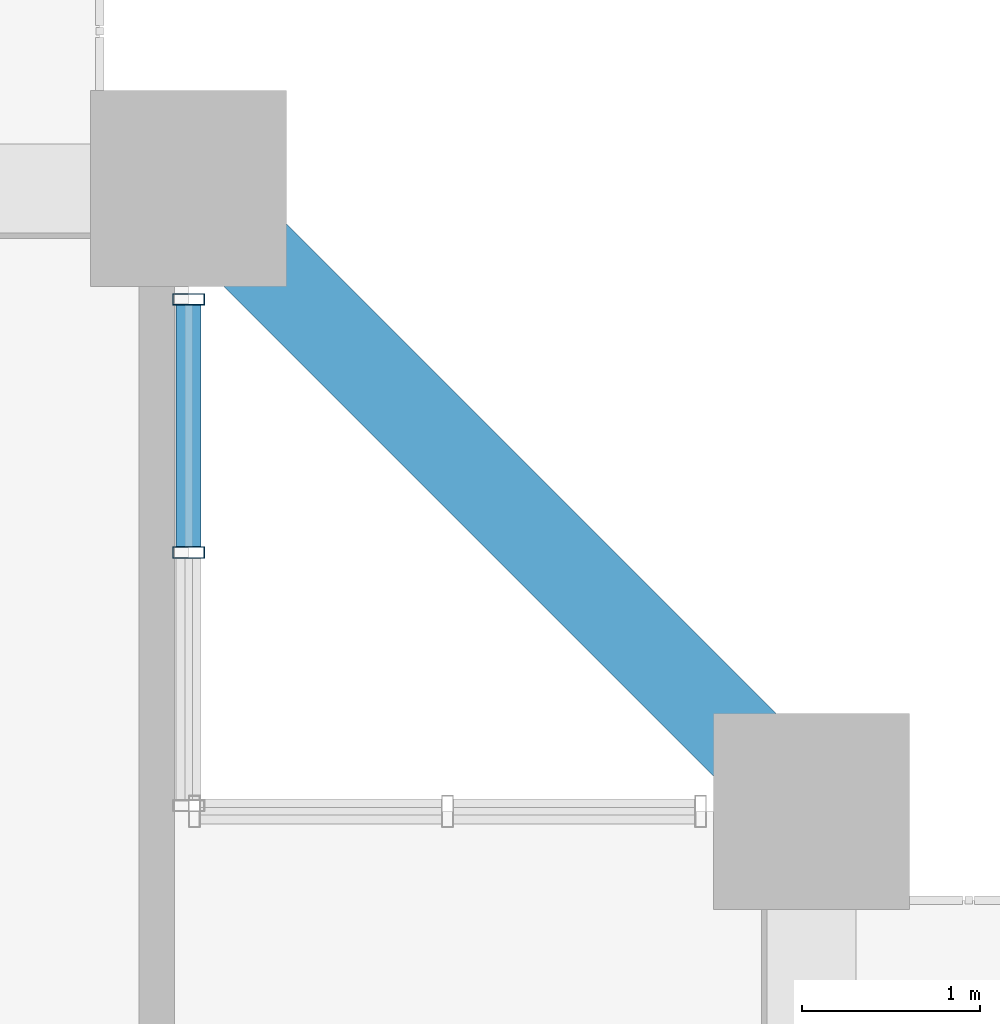
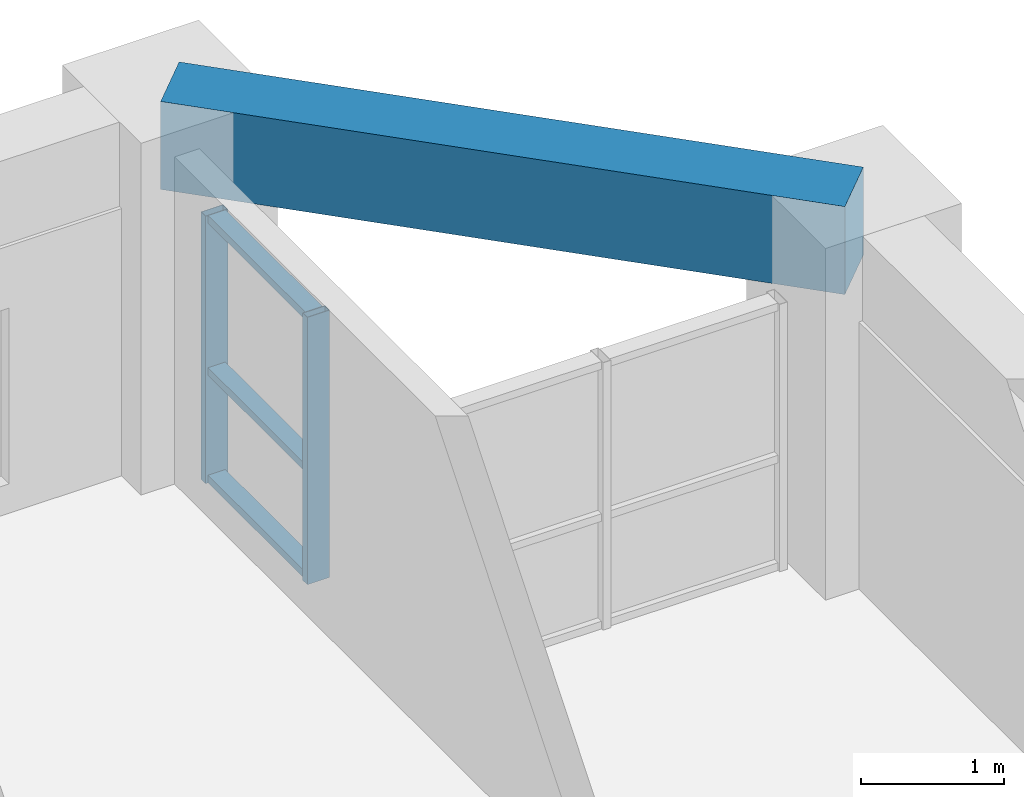
# One storey, part 12 of 27: 5 members, 1 beam, 1 element without a shape of its own.
"""IFC4 building model written with IfcOpenShell, lengths in metres."""

from ifc_helpers import new_model, si_unit, direction, frame, origin, origin_2d, place, context, subcontext, project, spatial, rectangle, hollow_rectangle, extrude, source, transform, mapped, material, layer, layer_set, material_profile, profile_set, type_object, element, aggregate, save


model = new_model("IFC4")

# Units and contexts
model_context = context("Model", 3, precision=1e-05, world=origin(), true_north=direction((0.0, 1.0)))
body_context = subcontext(model_context, "Body", "Model", "MODEL_VIEW")
ifc_project = project(units=[si_unit("LENGTHUNIT", "METRE"), si_unit("AREAUNIT", "SQUARE_METRE"), si_unit("VOLUMEUNIT", "CUBIC_METRE"), si_unit("PLANEANGLEUNIT", "RADIAN"), si_unit("MASSUNIT", "GRAM", prefix="KILO")], contexts=[model_context])

# Site, building, storey
site_placement = place(None, origin())
site = spatial("IfcSite", under=ifc_project, at=site_placement, CompositionType="ELEMENT")
building_placement = place(site_placement, origin())
building = spatial("IfcBuilding", under=site, at=building_placement, Name="Saelheon Loggia Tower", CompositionType="ELEMENT")
storey_placement = place(building_placement, frame((0.0, 0.0, 52.39990234375)))
storey = spatial("IfcBuildingStorey", under=building, at=storey_placement, Name="L16", CompositionType="ELEMENT", Elevation=52.39990234375)

# Beam
ifc_material_1 = material(Name="Concrete C45/55", Category="concrete")
ifc_material_profile_1 = material_profile(ifc_material_1, rectangle(XDim=0.5, YDim=0.75, at=origin_2d()), Name="RC-500x750")
ifc_profile_set_1 = profile_set([ifc_material_profile_1], Name="Concrete C45/55")
beam_type = type_object("IfcBeamType", Name="Beam_PerimGirder_RC500x750", PredefinedType="BEAM", material=ifc_profile_set_1)
shared_shape_1 = source(origin(), body_context, "Body", "SweptSolid", [
    extrude(rectangle(XDim=0.5, YDim=0.75, at=origin_2d()), origin(), (0.0, 0.0, 1.0), 4.94970703125),
])
beam_placement = place(storey_placement, frame((64.0, 47.5, 2.625), z_axis=(-0.707106781187, 0.707106781187, 0.0), x_axis=(-0.707106781187, -0.707106781187, 0.0)))
element("IfcBeam", 1, at=beam_placement, inside=storey, type_object=beam_type, Name="L16 Perimeter Frame Girder 08", PredefinedType="BEAM", context=body_context, shape_type="MappedRepresentation", body=[
    mapped(shared_shape_1, transform((0.0, 0.0, 0.0), scale=1.0)),
])

# Curtain wall, members
ifc_material_2 = material(Name="Thermal-Break Aluminium and Triple Low-E Glass", Category="aluminium")
ifc_layer = layer(ifc_material_2, 0.159912109375)
ifc_layer_set = layer_set([ifc_layer], Name="Thermal-Break Aluminium and Triple Low-E Glass")
curtain_wall_type = type_object("IfcCurtainWallType", Name="CW_TowerLoggiaLow", PredefinedType="NOTDEFINED", material=ifc_layer_set)
curtain_wall_placement = place(storey_placement, origin())
curtain_wall = element("IfcCurtainWall", 2, at=curtain_wall_placement, inside=storey, type_object=curtain_wall_type, Name="L16 Corner Notch Glazing NE1", PredefinedType="NOTDEFINED")
ifc_material_3 = material(Name="Anodised Aluminium 6063-T6", Category="aluminium")
ifc_material_profile_2 = material_profile(ifc_material_3, hollow_rectangle(XDim=0.06494140625, YDim=0.179931640625, WallThickness=0.00390625, at=origin_2d()), Name="RHS-180x65x4")
ifc_profile_set_2 = profile_set([ifc_material_profile_2], Name="Anodised Aluminium 6063-T6")
member_type_1 = type_object("IfcMemberType", Name="CW_TowerLoggiaLow_Mullion", PredefinedType="MULLION", material=ifc_profile_set_2)
shared_shape_2 = source(origin(), body_context, "Body", "SweptSolid", [
    extrude(hollow_rectangle(XDim=0.06494140625, YDim=0.179931640625, WallThickness=0.00390625, at=origin_2d()), origin(), (0.0, 0.0, 1.0), 2.280029296875),
])
member_1_placement = place(storey_placement, frame((60.5, 48.955078125, 0.0), z_axis=(0.0, 0.0, 1.0), x_axis=(0.0, 1.0, 0.0)))
member_1 = element("IfcMember", 3, at=member_1_placement, type_object=member_type_1, Name="CW3 mullion 2", PredefinedType="MULLION", context=body_context, shape_type="MappedRepresentation", body=[
    mapped(shared_shape_2, transform((0.0, 0.0, 0.0), scale=1.0)),
])
member_2_placement = place(storey_placement, frame((60.5, 50.37744140625, 0.0), z_axis=(0.0, 0.0, 1.0), x_axis=(0.0, 1.0, 0.0)))
member_2 = element("IfcMember", 4, at=member_2_placement, type_object=member_type_1, Name="CW3 mullion 3", PredefinedType="MULLION", context=body_context, shape_type="MappedRepresentation", body=[
    mapped(shared_shape_2, transform((0.0, 0.0, 0.0), scale=1.0)),
])
ifc_material_profile_3 = material_profile(ifc_material_3, hollow_rectangle(XDim=0.06494140625, YDim=0.139892578125, WallThickness=0.00390625, at=origin_2d()), Name="RHS-140x65x4")
ifc_profile_set_3 = profile_set([ifc_material_profile_3], Name="Anodised Aluminium 6063-T6")
member_type_2 = type_object("IfcMemberType", Name="CW_TowerLoggiaLow_Transom", PredefinedType="USERDEFINED", material=ifc_profile_set_3)
shared_shape_3 = source(origin(), body_context, "Body", "SweptSolid", [
    extrude(hollow_rectangle(XDim=0.06494140625, YDim=0.139892578125, WallThickness=0.00390625, at=origin_2d()), origin(), (0.0, 0.0, 1.0), 1.357421875),
])
member_3_placement = place(storey_placement, frame((60.5, 48.987548828125, 0.03271484375), z_axis=(0.0, 1.0, 0.0), x_axis=(0.0, 0.0, 1.0)))
member_3 = element("IfcMember", 5, at=member_3_placement, type_object=member_type_2, Name="CW3 transom 2.1", ObjectType="TRANSOM", PredefinedType="USERDEFINED", context=body_context, shape_type="MappedRepresentation", body=[
    mapped(shared_shape_3, transform((0.0, 0.0, 0.0), scale=1.0)),
])
member_4_placement = place(storey_placement, frame((60.5, 48.987548828125, 0.9501953125), z_axis=(0.0, 1.0, 0.0), x_axis=(0.0, 0.0, 1.0)))
member_4 = element("IfcMember", 6, at=member_4_placement, type_object=member_type_2, Name="CW3 transom 2.2", ObjectType="TRANSOM", PredefinedType="USERDEFINED", context=body_context, shape_type="MappedRepresentation", body=[
    mapped(shared_shape_3, transform((0.0, 0.0, 0.0), scale=1.0)),
])
member_5_placement = place(storey_placement, frame((60.5, 48.987548828125, 2.24755859375), z_axis=(0.0, 1.0, 0.0), x_axis=(0.0, 0.0, 1.0)))
member_5 = element("IfcMember", 7, at=member_5_placement, type_object=member_type_2, Name="CW3 transom 2.3", ObjectType="TRANSOM", PredefinedType="USERDEFINED", context=body_context, shape_type="MappedRepresentation", body=[
    mapped(shared_shape_3, transform((0.0, 0.0, 0.0), scale=1.0)),
])
aggregate(curtain_wall, [member_1, member_2, member_3, member_4, member_5])

save(model, "model.ifc")
